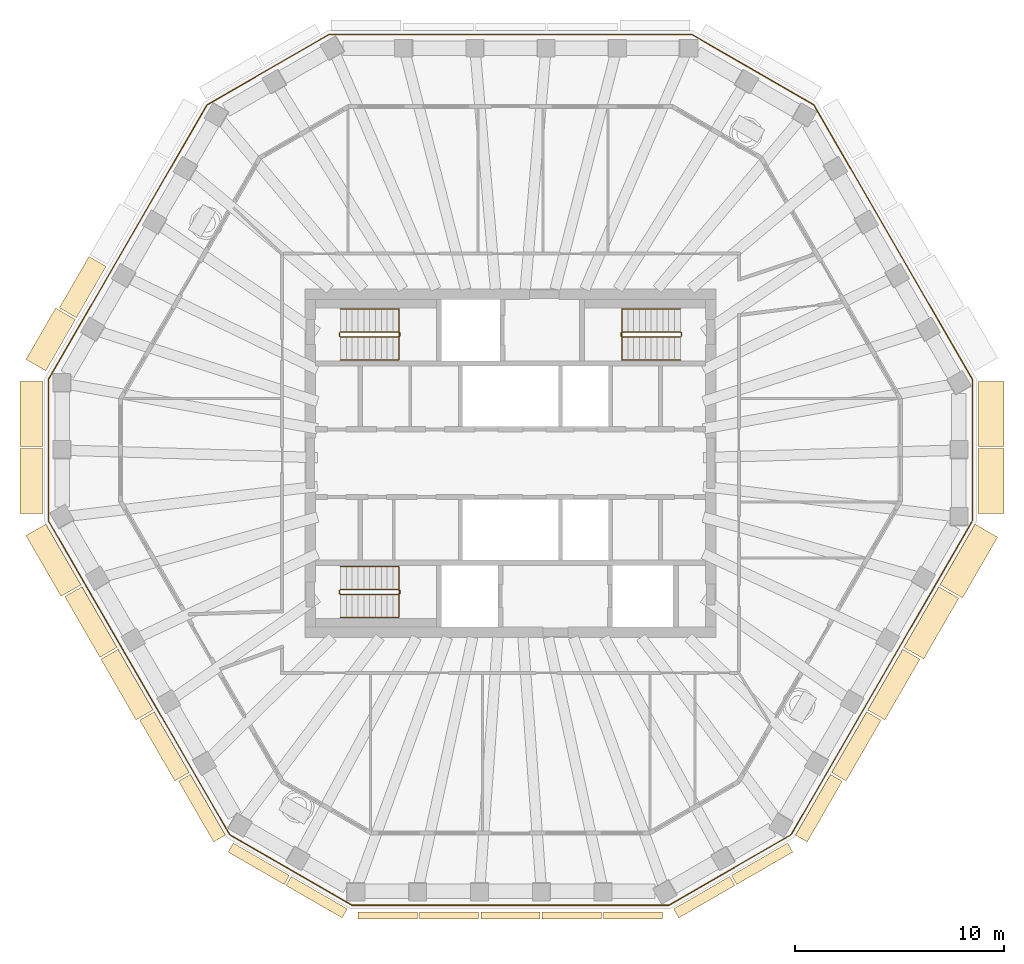
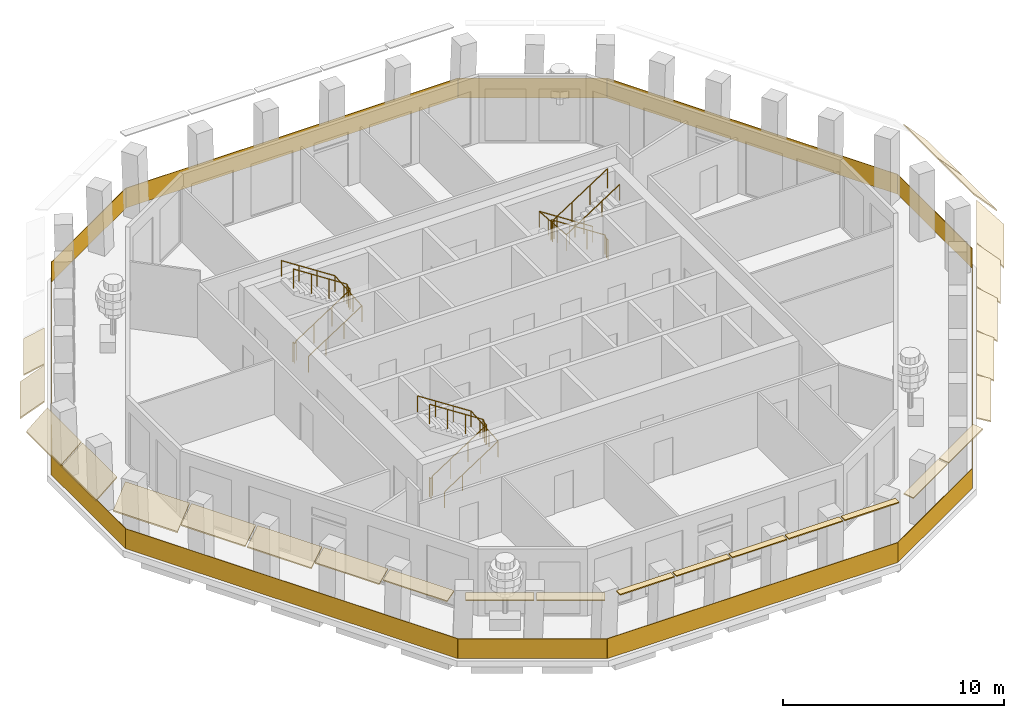
# One storey, part 8 of 11: 25 coverings, 7 railings.
"""IFC4 building model written with IfcOpenShell, lengths in metres."""

from ifc_helpers import new_model, si_unit, direction, frame, origin, origin_2d, place, context, subcontext, project, spatial, polyline, rectangle, circle, outline, extrude, material, layer, layer_set, type_object, element, save


model = new_model("IFC4")

# Units and contexts
model_context = context("Model", 3, precision=1e-05, world=origin(), true_north=direction((0.0, 1.0)))
body_context = subcontext(model_context, "Body", "Model", "MODEL_VIEW")
ifc_project = project(units=[si_unit("LENGTHUNIT", "METRE"), si_unit("AREAUNIT", "SQUARE_METRE"), si_unit("VOLUMEUNIT", "CUBIC_METRE"), si_unit("PLANEANGLEUNIT", "RADIAN"), si_unit("MASSUNIT", "GRAM", prefix="KILO")], contexts=[model_context])

# Site, building, storey
site_placement = place(None, origin())
site = spatial("IfcSite", under=ifc_project, at=site_placement, CompositionType="ELEMENT")
building_placement = place(site_placement, origin())
building = spatial("IfcBuilding", under=site, at=building_placement, Name="Frailejon Research Tower", CompositionType="ELEMENT")
storey_placement = place(building_placement, frame((0.0, 0.0, 328.60009765625)))
storey = spatial("IfcBuildingStorey", under=building, at=storey_placement, Name="L73", CompositionType="ELEMENT", Elevation=328.60009765625)

# Coverings
ifc_material_1 = material(Name="Precast concrete C50/60", Category="concrete")
ifc_layer_1 = layer(ifc_material_1, 0.06005859375)
ifc_layer_set_1 = layer_set([ifc_layer_1], Name="Brim blade depth 1100")
covering_type_1 = type_object("IfcCoveringType", Name="Brim blade depth 1100", PredefinedType="CLADDING", material=ifc_layer_set_1)
covering_1_placement = place(storey_placement, frame((-22.274169921875, 4.4287109375, 3.849853515625), z_axis=(0.500015830059, 0.866016264103, 0.0), x_axis=(-0.866016264103, 0.500015830059, 0.0)))
element("IfcCovering", 1, at=covering_1_placement, inside=storey, type_object=covering_type_1, Name="Brim blade L73", PredefinedType="CLADDING", context=body_context, shape_type="SweptSolid", body=[
    extrude(outline(polyline([(0.0, -0.078369140625), (1.10009765625, -1.001220703125), (1.10009765625, -0.923095703125), (0.0, 0.0), (0.0, -0.078369140625)])), origin(), (0.0, 0.0, 1.0), 2.8408203125),
])
covering_2_placement = place(storey_placement, frame((-22.4130859375, 0.80419921875, 3.849853515625), z_axis=(0.0, 1.0, 0.0), x_axis=(-1.0, 0.0, 0.0)))
element("IfcCovering", 2, at=covering_2_placement, inside=storey, type_object=covering_type_1, Name="Brim blade L73", PredefinedType="CLADDING", context=body_context, shape_type="SweptSolid", body=[
    extrude(outline(polyline([(0.0, -0.078369140625), (1.10009765625, -1.001220703125), (1.10009765625, -0.923095703125), (0.0, 0.0), (0.0, -0.078369140625)])), origin(), (0.0, 0.0, 1.0), 3.106201171875),
])
covering_3_placement = place(storey_placement, frame((-22.4130859375, -2.40185546875, 3.849853515625), z_axis=(0.0, 1.0, 0.0), x_axis=(-1.0, 0.0, 0.0)))
element("IfcCovering", 3, at=covering_3_placement, inside=storey, type_object=covering_type_1, Name="Brim blade L73", PredefinedType="CLADDING", context=body_context, shape_type="SweptSolid", body=[
    extrude(outline(polyline([(0.0, -0.078369140625), (1.10009765625, -1.001220703125), (1.10009765625, -0.923095703125), (0.0, 0.0), (0.0, -0.078369140625)])), origin(), (0.0, 0.0, 1.0), 3.10595703125),
])
for number, where, z_axis, x_axis, name in (
    (4, (-20.59228515625, -5.832763671875, 3.849853515625), (-0.500011550124, 0.866018735215, 0.0), (-0.866018735215, -0.500011550124, 0.0), "Brim blade L73"),
    (5, (20.54248046875, -5.91943359375, 3.849853515625), (-0.499989894927, -0.866031237873, 0.0), (0.866031237873, -0.499989894927, 0.0), "Brim blade L73"),
):
    element("IfcCovering", number, at=place(storey_placement, frame(where, z_axis=z_axis, x_axis=x_axis)), inside=storey, type_object=covering_type_1, Name=name, PredefinedType="CLADDING", context=body_context, shape_type="SweptSolid", body=[
        extrude(outline(polyline([(0.0, -0.078369140625), (1.10009765625, -1.001220703125), (1.10009765625, -0.923095703125), (0.0, 0.0), (0.0, -0.078369140625)])), origin(), (0.0, 0.0, 1.0), 3.36328125),
    ])
ifc_material_2 = material(Name="Precast concrete C50/60", Category="concrete")
ifc_layer_2 = layer(ifc_material_2, 0.06005859375)
ifc_layer_set_2 = layer_set([ifc_layer_2], Name="Brim blade depth 1250")
covering_type_2 = type_object("IfcCoveringType", Name="Brim blade depth 1250", PredefinedType="CLADDING", material=ifc_layer_set_2)
covering_4_placement = place(storey_placement, frame((22.4130859375, 0.7041015625, 3.849853515625), z_axis=(0.0, -1.0, 0.0), x_axis=(1.0, 0.0, 0.0)))
element("IfcCovering", 6, at=covering_4_placement, inside=storey, type_object=covering_type_2, Name="Brim blade L73", PredefinedType="CLADDING", context=body_context, shape_type="SweptSolid", body=[
    extrude(outline(polyline([(0.0, -0.0888671875), (1.25, -1.452880859375), (1.25, -1.364013671875), (0.0, 0.0), (0.0, -0.0888671875)])), origin(), (0.0, 0.0, 1.0), 3.10595703125),
])
covering_5_placement = place(storey_placement, frame((22.4130859375, 3.910400390625, 3.849853515625), z_axis=(0.0, -1.0, 0.0), x_axis=(1.0, 0.0, 0.0)))
element("IfcCovering", 7, at=covering_5_placement, inside=storey, type_object=covering_type_2, Name="Brim blade L73", PredefinedType="CLADDING", context=body_context, shape_type="SweptSolid", body=[
    extrude(outline(polyline([(0.0, -0.0888671875), (1.25, -1.452880859375), (1.25, -1.364013671875), (0.0, 0.0), (0.0, -0.0888671875)])), origin(), (0.0, 0.0, 1.0), 3.106201171875),
])
covering_6_placement = place(storey_placement, frame((22.274169921875, -2.920166015625, 3.849853515625), z_axis=(-0.500011550124, -0.866018735215, 0.0), x_axis=(0.866018735215, -0.500011550124, 0.0)))
element("IfcCovering", 8, at=covering_6_placement, inside=storey, type_object=covering_type_2, Name="Brim blade L73", PredefinedType="CLADDING", context=body_context, shape_type="SweptSolid", body=[
    extrude(outline(polyline([(0.0, -0.0888671875), (1.25, -1.452880859375), (1.25, -1.364013671875), (0.0, 0.0), (0.0, -0.0888671875)])), origin(), (0.0, 0.0, 1.0), 3.36328125),
])
ifc_material_3 = material(Name="Precast concrete C50/60", Category="concrete")
ifc_layer_3 = layer(ifc_material_3, 0.06005859375)
ifc_layer_set_3 = layer_set([ifc_layer_3], Name="Brim blade depth 350")
covering_type_3 = type_object("IfcCoveringType", Name="Brim blade depth 350", PredefinedType="CLADDING", material=ifc_layer_set_3)
for number, where, z_axis, x_axis, name in (
    (9, (-4.461181640625, -21.504150390625, 3.849853515625), (-1.0, 0.0, 0.0), (0.0, -1.0, 0.0), "Brim blade L73"),
    (10, (-1.5205078125, -21.504150390625, 3.849853515625), (-1.0, 0.0, 0.0), (0.0, -1.0, 0.0), "Brim blade L73"),
    (11, (1.42041015625, -21.504150390625, 3.849853515625), (-1.0, 0.0, 0.0), (0.0, -1.0, 0.0), "Brim blade L73"),
    (12, (4.361083984375, -21.504150390625, 3.849853515625), (-1.0, 0.0, 0.0), (0.0, -1.0, 0.0), "Brim blade L73"),
    (13, (7.3017578125, -21.504150390625, 3.849853515625), (-1.0, 0.0, 0.0), (0.0, -1.0, 0.0), "Brim blade L73"),
):
    element("IfcCovering", number, at=place(storey_placement, frame(where, z_axis=z_axis, x_axis=x_axis)), inside=storey, type_object=covering_type_3, Name=name, PredefinedType="CLADDING", context=body_context, shape_type="SweptSolid", body=[
        extrude(outline(polyline([(0.0, -0.06005859375), (0.35009765625, -0.06005859375), (0.35009765625, 0.0), (0.0, 0.0), (0.0, -0.06005859375)])), origin(), (0.0, 0.0, 1.0), 2.8408203125),
    ])
ifc_material_4 = material(Name="Precast concrete C50/60", Category="concrete")
ifc_layer_4 = layer(ifc_material_4, 0.06005859375)
ifc_layer_set_4 = layer_set([ifc_layer_4], Name="Brim blade depth 500")
covering_type_4 = type_object("IfcCoveringType", Name="Brim blade depth 500", PredefinedType="CLADDING", material=ifc_layer_set_4)
for number, where, z_axis, x_axis, name in (
    (14, (-10.5966796875, -19.76220703125, 3.849853515625), (-0.86602716254, 0.499996953734, 0.0), (-0.499996953734, -0.86602716254, 0.0), "Brim blade L73"),
    (15, (-7.820068359375, -21.365234375, 3.849853515625), (-0.86602716254, 0.499996953734, 0.0), (-0.499996953734, -0.86602716254, 0.0), "Brim blade L73"),
    (16, (10.510009765625, -19.812255859375, 3.849853515625), (-0.86602716254, -0.499996953734, 0.0), (0.499996953734, -0.86602716254, 0.0), "Brim blade L73"),
    (17, (13.28662109375, -18.209228515625, 3.849853515625), (-0.86602716254, -0.499996953734, 0.0), (0.499996953734, -0.86602716254, 0.0), "Brim blade L73"),
):
    element("IfcCovering", number, at=place(storey_placement, frame(where, z_axis=z_axis, x_axis=x_axis)), inside=storey, type_object=covering_type_4, Name=name, PredefinedType="CLADDING", context=body_context, shape_type="SweptSolid", body=[
        extrude(outline(polyline([(0.0, -0.060546875), (0.5, -0.130859375), (0.5, -0.0703125), (0.0, 0.0), (0.0, -0.060546875)])), origin(), (0.0, 0.0, 1.0), 3.10595703125),
    ])
ifc_material_5 = material(Name="Precast concrete C50/60", Category="concrete")
ifc_layer_5 = layer(ifc_material_5, 0.06005859375)
ifc_layer_set_5 = layer_set([ifc_layer_5], Name="Brim blade depth 650")
covering_type_5 = type_object("IfcCoveringType", Name="Brim blade depth 650", PredefinedType="CLADDING", material=ifc_layer_set_5)
for number, where, z_axis, x_axis, name in (
    (18, (-13.666015625, -17.829833984375, 3.849853515625), (-0.500011550124, 0.866018735215, 0.0), (-0.866018735215, -0.500011550124, 0.0), "Brim blade L73"),
    (19, (15.34765625, -14.917236328125, 3.849853515625), (-0.500011550124, -0.866018735215, 0.0), (0.866018735215, -0.500011550124, 0.0), "Brim blade L73"),
):
    element("IfcCovering", number, at=place(storey_placement, frame(where, z_axis=z_axis, x_axis=x_axis)), inside=storey, type_object=covering_type_5, Name=name, PredefinedType="CLADDING", context=body_context, shape_type="SweptSolid", body=[
        extrude(outline(polyline([(0.0, -0.0625), (0.64990234375, -0.248779296875), (0.64990234375, -0.186279296875), (0.0, 0.0), (0.0, -0.0625)])), origin(), (0.0, 0.0, 1.0), 3.36328125),
    ])
ifc_material_6 = material(Name="Precast concrete C50/60", Category="concrete")
ifc_layer_6 = layer(ifc_material_6, 0.06005859375)
ifc_layer_set_6 = layer_set([ifc_layer_6], Name="Brim blade depth 800")
covering_type_6 = type_object("IfcCoveringType", Name="Brim blade depth 800", PredefinedType="CLADDING", material=ifc_layer_set_6)
for number, where, z_axis, x_axis, name in (
    (20, (-15.397705078125, -14.83056640625, 3.849853515625), (-0.499989894927, 0.866031237873, 0.0), (-0.866031237873, -0.499989894927, 0.0), "Brim blade L73"),
    (21, (17.0791015625, -11.91796875, 3.849853515625), (-0.499989894927, -0.866031237873, 0.0), (0.866031237873, -0.499989894927, 0.0), "Brim blade L73"),
):
    element("IfcCovering", number, at=place(storey_placement, frame(where, z_axis=z_axis, x_axis=x_axis)), inside=storey, type_object=covering_type_6, Name=name, PredefinedType="CLADDING", context=body_context, shape_type="SweptSolid", body=[
        extrude(outline(polyline([(0.0, -0.065673828125), (0.800048828125, -0.421875), (0.800048828125, -0.356201171875), (0.0, 0.0), (0.0, -0.065673828125)])), origin(), (0.0, 0.0, 1.0), 3.36328125),
    ])
ifc_material_7 = material(Name="Precast concrete C50/60", Category="concrete")
ifc_layer_7 = layer(ifc_material_7, 0.06005859375)
ifc_layer_set_7 = layer_set([ifc_layer_7], Name="Brim blade depth 950")
covering_type_7 = type_object("IfcCoveringType", Name="Brim blade depth 950", PredefinedType="CLADDING", material=ifc_layer_set_7)
covering_7_placement = place(storey_placement, frame((-20.8037109375, 6.975341796875, 3.849853515625), z_axis=(0.499975601041, 0.866039490072, 0.0), x_axis=(-0.866039490072, 0.499975601041, 0.0)))
element("IfcCovering", 22, at=covering_7_placement, inside=storey, type_object=covering_type_7, Name="Brim blade L73", PredefinedType="CLADDING", context=body_context, shape_type="SweptSolid", body=[
    extrude(outline(polyline([(0.0, -0.07080078125), (0.949951171875, -0.664306640625), (0.949951171875, -0.593505859375), (0.0, 0.0), (0.0, -0.07080078125)])), origin(), (0.0, 0.0, 1.0), 2.8408203125),
])
for number, where, z_axis, x_axis, name in (
    (23, (-18.86083984375, -8.83203125, 3.849853515625), (-0.499989894927, 0.866031237873, 0.0), (-0.866031237873, -0.499989894927, 0.0), "Brim blade L73"),
    (24, (-17.129150390625, -11.831298828125, 3.849853515625), (-0.500002398127, 0.866024019221, 0.0), (-0.866024019221, -0.500002398127, 0.0), "Brim blade L73"),
    (25, (18.810791015625, -8.918701171875, 3.849853515625), (-0.500002398127, -0.866024019221, 0.0), (0.866024019221, -0.500002398127, 0.0), "Brim blade L73"),
):
    element("IfcCovering", number, at=place(storey_placement, frame(where, z_axis=z_axis, x_axis=x_axis)), inside=storey, type_object=covering_type_7, Name=name, PredefinedType="CLADDING", context=body_context, shape_type="SweptSolid", body=[
        extrude(outline(polyline([(0.0, -0.07080078125), (0.949951171875, -0.664306640625), (0.949951171875, -0.593505859375), (0.0, 0.0), (0.0, -0.07080078125)])), origin(), (0.0, 0.0, 1.0), 3.36328125),
    ])

# Railings
ifc_material_8 = material(Name="Laminated glass balustrade", Category="glass")
railing_type_1 = type_object("IfcRailingType", Name="Glass guard 1100", PredefinedType="GUARDRAIL", material=ifc_material_8)
railing_1_placement = place(storey_placement, frame((22.151611328125, -2.754638671875, 0.0)))
element("IfcRailing", 26, at=railing_1_placement, inside=storey, type_object=railing_type_1, Name="Loggia guard L73", PredefinedType="GUARDRAIL", context=body_context, shape_type="SweptSolid", body=[
    extrude(rectangle(XDim=6.766357421875, YDim=0.030029296875, at=origin_2d()), frame((0.0, 3.38330078125, 0.0), z_axis=(0.0, 0.0, 1.0), x_axis=(0.0, 1.0, 0.0)), (0.0, 0.0, 1.0), 1.10009765625),
    extrude(rectangle(XDim=15.203125, YDim=0.030029296875, at=origin_2d()), frame((-3.80078125, 13.349609375, 0.0), z_axis=(0.0, 0.0, 1.0), x_axis=(-0.500000931394, 0.866024866043, 0.0)), (0.0, 0.0, 1.0), 1.10009765625),
    extrude(rectangle(XDim=6.766357421875, YDim=0.030029296875, at=origin_2d()), frame((-10.531494140625, 21.6240234375, 0.0), z_axis=(0.0, 0.0, 1.0), x_axis=(-0.866034171151, 0.499984814167, 0.0)), (0.0, 0.0, 1.0), 1.10009765625),
    extrude(rectangle(XDim=17.38037109375, YDim=0.030029296875, at=origin_2d()), frame((-22.151611328125, 23.315673828125, 0.0), z_axis=(0.0, 0.0, 1.0), x_axis=(-1.0, 0.0, 0.0)), (0.0, 0.0, 1.0), 1.10009765625),
    extrude(rectangle(XDim=6.766357421875, YDim=0.030029296875, at=origin_2d()), frame((-33.771728515625, 21.6240234375, 0.0), z_axis=(0.0, 0.0, 1.0), x_axis=(-0.866034171151, -0.499984814167, 0.0)), (0.0, 0.0, 1.0), 1.10009765625),
    extrude(rectangle(XDim=15.203125, YDim=0.030029296875, at=origin_2d()), frame((-40.50244140625, 13.349609375, 0.0), z_axis=(0.0, 0.0, 1.0), x_axis=(-0.500000931394, -0.866024866043, 0.0)), (0.0, 0.0, 1.0), 1.10009765625),
    extrude(rectangle(XDim=6.766357421875, YDim=0.030029296875, at=origin_2d()), frame((-44.30322265625, 3.38330078125, 0.0), z_axis=(0.0, 0.0, 1.0), x_axis=(0.0, -1.0, 0.0)), (0.0, 0.0, 1.0), 1.10009765625),
    extrude(rectangle(XDim=17.38037109375, YDim=0.030029296875, at=origin_2d()), frame((-39.9580078125, -7.52587890625, 0.0), z_axis=(0.0, 0.0, 1.0), x_axis=(0.500002119729, -0.866024179955, 0.0)), (0.0, 0.0, 1.0), 1.10009765625),
    extrude(rectangle(XDim=6.766357421875, YDim=0.030029296875, at=origin_2d()), frame((-32.68310546875, -16.743408203125, 0.0), z_axis=(0.0, 0.0, 1.0), x_axis=(0.866018547471, -0.500011875296, 0.0)), (0.0, 0.0, 1.0), 1.10009765625),
    extrude(rectangle(XDim=15.203125, YDim=0.030029296875, at=origin_2d()), frame((-22.151611328125, -18.43505859375, 0.0), z_axis=(0.0, 0.0, 1.0), x_axis=(1.0, 0.0, 0.0)), (0.0, 0.0, 1.0), 1.10009765625),
    extrude(rectangle(XDim=6.766357421875, YDim=0.030029296875, at=origin_2d()), frame((-11.6201171875, -16.743408203125, 0.0), z_axis=(0.0, 0.0, 1.0), x_axis=(0.866018547471, 0.500011875296, 0.0)), (0.0, 0.0, 1.0), 1.10009765625),
    extrude(rectangle(XDim=17.310302734375, YDim=0.030029296875, at=origin_2d()), frame((-4.36279296875, -7.55615234375, 0.0), z_axis=(0.0, 0.0, 1.0), x_axis=(0.499993484782, 0.866029165315, 0.0)), (0.0, 0.0, 1.0), 1.10009765625),
])
ifc_material_9 = material(Name="Stainless steel", Category="steel")
railing_type_2 = type_object("IfcRailingType", Name="Stair guard 1100", PredefinedType="GUARDRAIL", material=ifc_material_9)
railing_2_placement = place(storey_placement, frame((-8.199951171875, 6.25, 0.0)))
element("IfcRailing", 27, at=railing_2_placement, inside=storey, type_object=railing_type_2, Name="L73 ST1 stair guard 1", PredefinedType="GUARDRAIL", context=body_context, shape_type="SweptSolid", body=[
    extrude(circle(Radius=0.02392578125, at=origin_2d()), frame((0.0, 0.0, 1.076171875), z_axis=(0.0, -1.0, 0.0), x_axis=(1.0, 0.0, 0.0)), (0.0, 0.0, 1.0), 0.14990234375),
    extrude(circle(Radius=0.02392578125, at=origin_2d()), frame((0.0, -0.14990234375, 1.076171875), z_axis=(0.256734642926, -0.256734642926, 0.931758899203), x_axis=(0.707106781187, 0.707106781187, 0.0)), (0.0, 0.0, 1.0), 0.19482421875),
    extrude(circle(Radius=0.02392578125, at=origin_2d()), frame((0.050048828125, -0.199951171875, 1.2578125), z_axis=(0.838650734948, 0.0, 0.544669573936), x_axis=(0.0, 1.0, 0.0)), (0.0, 0.0, 1.0), 3.33837890625),
    extrude(circle(Radius=0.02392578125, at=origin_2d()), frame((2.849853515625, -0.199951171875, 3.076171875), z_axis=(0.707106781187, 0.707106781187, 0.0), x_axis=(-0.707106781187, 0.707106781187, 0.0)), (0.0, 0.0, 1.0), 0.07080078125),
    extrude(circle(Radius=0.02392578125, at=origin_2d()), frame((2.89990234375, -0.14990234375, 3.076171875), z_axis=(0.0, 1.0, 0.0), x_axis=(-1.0, 0.0, 0.0)), (0.0, 0.0, 1.0), 0.14990234375),
    extrude(circle(Radius=0.02392578125, at=origin_2d()), frame((2.89990234375, 0.0, 3.076171875), z_axis=(-0.256734642926, 0.256734642926, 0.931758899203), x_axis=(-0.707106781187, -0.707106781187, 0.0)), (0.0, 0.0, 1.0), 0.19482421875),
    extrude(circle(Radius=0.02392578125, at=origin_2d()), frame((2.849853515625, 0.050048828125, 3.2578125), z_axis=(-0.838650734948, 0.0, 0.544669573936), x_axis=(0.0, -1.0, 0.0)), (0.0, 0.0, 1.0), 3.33837890625),
    extrude(circle(Radius=0.02099609375, at=origin_2d()), origin(), (0.0, 0.0, 1.0), 1.052001953125),
    extrude(circle(Radius=0.02099609375, at=origin_2d()), frame((0.0, -0.14990234375, 0.0)), (0.0, 0.0, 1.0), 1.052001953125),
    extrude(circle(Radius=0.02099609375, at=origin_2d()), frame((0.050048828125, -0.199951171875, 0.181640625)), (0.0, 0.0, 1.0), 1.052001953125),
    extrude(circle(Radius=0.02099609375, at=origin_2d()), frame((0.9833984375, -0.199951171875, 0.787841796875)), (0.0, 0.0, 1.0), 1.052001953125),
    extrude(circle(Radius=0.02099609375, at=origin_2d()), frame((1.91650390625, -0.199951171875, 1.393798828125)), (0.0, 0.0, 1.0), 1.052001953125),
    extrude(circle(Radius=0.02099609375, at=origin_2d()), frame((2.849853515625, -0.199951171875, 2.0)), (0.0, 0.0, 1.0), 1.052001953125),
    extrude(circle(Radius=0.02099609375, at=origin_2d()), frame((2.89990234375, -0.14990234375, 2.0)), (0.0, 0.0, 1.0), 1.052001953125),
    extrude(circle(Radius=0.02099609375, at=origin_2d()), frame((2.89990234375, 0.0, 2.0)), (0.0, 0.0, 1.0), 1.052001953125),
    extrude(circle(Radius=0.02099609375, at=origin_2d()), frame((2.849853515625, 0.050048828125, 2.181640625)), (0.0, 0.0, 1.0), 1.052001953125),
    extrude(circle(Radius=0.02099609375, at=origin_2d()), frame((1.91650390625, 0.050048828125, 2.787841796875)), (0.0, 0.0, 1.0), 1.052001953125),
    extrude(circle(Radius=0.02099609375, at=origin_2d()), frame((0.9833984375, 0.050048828125, 3.393798828125)), (0.0, 0.0, 1.0), 1.052001953125),
    extrude(circle(Radius=0.02099609375, at=origin_2d()), frame((0.050048828125, 0.050048828125, 4.0)), (0.0, 0.0, 1.0), 1.052001953125),
])
railing_3_placement = place(storey_placement, frame((-8.199951171875, -6.10009765625, 0.0)))
element("IfcRailing", 28, at=railing_3_placement, inside=storey, type_object=railing_type_2, Name="L73 ST2 stair guard 1", PredefinedType="GUARDRAIL", context=body_context, shape_type="SweptSolid", body=[
    extrude(circle(Radius=0.02392578125, at=origin_2d()), frame((0.0, 0.0, 1.076171875), z_axis=(0.0, -1.0, 0.0), x_axis=(1.0, 0.0, 0.0)), (0.0, 0.0, 1.0), 0.14990234375),
    extrude(circle(Radius=0.02392578125, at=origin_2d()), frame((0.0, -0.14990234375, 1.076171875), z_axis=(0.256734642926, -0.256734642926, 0.931758899203), x_axis=(0.707106781187, 0.707106781187, 0.0)), (0.0, 0.0, 1.0), 0.19482421875),
    extrude(circle(Radius=0.02392578125, at=origin_2d()), frame((0.050048828125, -0.199951171875, 1.2578125), z_axis=(0.838650734948, 0.0, 0.544669573936), x_axis=(0.0, 1.0, 0.0)), (0.0, 0.0, 1.0), 3.33837890625),
    extrude(circle(Radius=0.02392578125, at=origin_2d()), frame((2.849853515625, -0.199951171875, 3.076171875), z_axis=(0.707106781187, 0.707106781187, 0.0), x_axis=(-0.707106781187, 0.707106781187, 0.0)), (0.0, 0.0, 1.0), 0.07080078125),
    extrude(circle(Radius=0.02392578125, at=origin_2d()), frame((2.89990234375, -0.14990234375, 3.076171875), z_axis=(0.0, 1.0, 0.0), x_axis=(-1.0, 0.0, 0.0)), (0.0, 0.0, 1.0), 0.14990234375),
    extrude(circle(Radius=0.02392578125, at=origin_2d()), frame((2.89990234375, 0.0, 3.076171875), z_axis=(-0.256734642926, 0.256734642926, 0.931758899203), x_axis=(-0.707106781187, -0.707106781187, 0.0)), (0.0, 0.0, 1.0), 0.19482421875),
    extrude(circle(Radius=0.02392578125, at=origin_2d()), frame((2.849853515625, 0.050048828125, 3.2578125), z_axis=(-0.838650734948, 0.0, 0.544669573936), x_axis=(0.0, -1.0, 0.0)), (0.0, 0.0, 1.0), 3.33837890625),
    extrude(circle(Radius=0.02099609375, at=origin_2d()), origin(), (0.0, 0.0, 1.0), 1.052001953125),
    extrude(circle(Radius=0.02099609375, at=origin_2d()), frame((0.0, -0.14990234375, 0.0)), (0.0, 0.0, 1.0), 1.052001953125),
    extrude(circle(Radius=0.02099609375, at=origin_2d()), frame((0.050048828125, -0.199951171875, 0.181640625)), (0.0, 0.0, 1.0), 1.052001953125),
    extrude(circle(Radius=0.02099609375, at=origin_2d()), frame((0.9833984375, -0.199951171875, 0.787841796875)), (0.0, 0.0, 1.0), 1.052001953125),
    extrude(circle(Radius=0.02099609375, at=origin_2d()), frame((1.91650390625, -0.199951171875, 1.393798828125)), (0.0, 0.0, 1.0), 1.052001953125),
    extrude(circle(Radius=0.02099609375, at=origin_2d()), frame((2.849853515625, -0.199951171875, 2.0)), (0.0, 0.0, 1.0), 1.052001953125),
    extrude(circle(Radius=0.02099609375, at=origin_2d()), frame((2.89990234375, -0.14990234375, 2.0)), (0.0, 0.0, 1.0), 1.052001953125),
    extrude(circle(Radius=0.02099609375, at=origin_2d()), frame((2.89990234375, 0.0, 2.0)), (0.0, 0.0, 1.0), 1.052001953125),
    extrude(circle(Radius=0.02099609375, at=origin_2d()), frame((2.849853515625, 0.050048828125, 2.181640625)), (0.0, 0.0, 1.0), 1.052001953125),
    extrude(circle(Radius=0.02099609375, at=origin_2d()), frame((1.91650390625, 0.050048828125, 2.787841796875)), (0.0, 0.0, 1.0), 1.052001953125),
    extrude(circle(Radius=0.02099609375, at=origin_2d()), frame((0.9833984375, 0.050048828125, 3.393798828125)), (0.0, 0.0, 1.0), 1.052001953125),
    extrude(circle(Radius=0.02099609375, at=origin_2d()), frame((0.050048828125, 0.050048828125, 4.0)), (0.0, 0.0, 1.0), 1.052001953125),
])
railing_4_placement = place(storey_placement, frame((8.199951171875, 6.10009765625, 0.0)))
element("IfcRailing", 29, at=railing_4_placement, inside=storey, type_object=railing_type_2, Name="L73 ST3 stair guard 1", PredefinedType="GUARDRAIL", context=body_context, shape_type="SweptSolid", body=[
    extrude(circle(Radius=0.02392578125, at=origin_2d()), frame((0.0, 0.0, 1.076171875), z_axis=(0.0, 1.0, 0.0), x_axis=(-1.0, 0.0, 0.0)), (0.0, 0.0, 1.0), 0.14990234375),
    extrude(circle(Radius=0.02392578125, at=origin_2d()), frame((0.0, 0.14990234375, 1.076171875), z_axis=(-0.256734642926, 0.256734642926, 0.931758899203), x_axis=(-0.707106781187, -0.707106781187, 0.0)), (0.0, 0.0, 1.0), 0.19482421875),
    extrude(circle(Radius=0.02392578125, at=origin_2d()), frame((-0.050048828125, 0.199951171875, 1.2578125), z_axis=(-0.838650734948, 0.0, 0.544669573936), x_axis=(0.0, -1.0, 0.0)), (0.0, 0.0, 1.0), 3.33837890625),
    extrude(circle(Radius=0.02392578125, at=origin_2d()), frame((-2.849853515625, 0.199951171875, 3.076171875), z_axis=(-0.707106781187, -0.707106781187, 0.0), x_axis=(0.707106781187, -0.707106781187, 0.0)), (0.0, 0.0, 1.0), 0.07080078125),
    extrude(circle(Radius=0.02392578125, at=origin_2d()), frame((-2.89990234375, 0.14990234375, 3.076171875), z_axis=(0.0, -1.0, 0.0), x_axis=(1.0, 0.0, 0.0)), (0.0, 0.0, 1.0), 0.14990234375),
    extrude(circle(Radius=0.02392578125, at=origin_2d()), frame((-2.89990234375, 0.0, 3.076171875), z_axis=(0.256734642926, -0.256734642926, 0.931758899203), x_axis=(0.707106781187, 0.707106781187, 0.0)), (0.0, 0.0, 1.0), 0.19482421875),
    extrude(circle(Radius=0.02392578125, at=origin_2d()), frame((-2.849853515625, -0.050048828125, 3.2578125), z_axis=(0.838650734948, 0.0, 0.544669573936), x_axis=(0.0, 1.0, 0.0)), (0.0, 0.0, 1.0), 3.33837890625),
    extrude(circle(Radius=0.02099609375, at=origin_2d()), origin(), (0.0, 0.0, 1.0), 1.052001953125),
    extrude(circle(Radius=0.02099609375, at=origin_2d()), frame((0.0, 0.14990234375, 0.0)), (0.0, 0.0, 1.0), 1.052001953125),
    extrude(circle(Radius=0.02099609375, at=origin_2d()), frame((-0.050048828125, 0.199951171875, 0.181640625)), (0.0, 0.0, 1.0), 1.052001953125),
    extrude(circle(Radius=0.02099609375, at=origin_2d()), frame((-0.9833984375, 0.199951171875, 0.787841796875)), (0.0, 0.0, 1.0), 1.052001953125),
    extrude(circle(Radius=0.02099609375, at=origin_2d()), frame((-1.91650390625, 0.199951171875, 1.393798828125)), (0.0, 0.0, 1.0), 1.052001953125),
    extrude(circle(Radius=0.02099609375, at=origin_2d()), frame((-2.849853515625, 0.199951171875, 2.0)), (0.0, 0.0, 1.0), 1.052001953125),
    extrude(circle(Radius=0.02099609375, at=origin_2d()), frame((-2.89990234375, 0.14990234375, 2.0)), (0.0, 0.0, 1.0), 1.052001953125),
    extrude(circle(Radius=0.02099609375, at=origin_2d()), frame((-2.89990234375, 0.0, 2.0)), (0.0, 0.0, 1.0), 1.052001953125),
    extrude(circle(Radius=0.02099609375, at=origin_2d()), frame((-2.849853515625, -0.050048828125, 2.181640625)), (0.0, 0.0, 1.0), 1.052001953125),
    extrude(circle(Radius=0.02099609375, at=origin_2d()), frame((-1.91650390625, -0.050048828125, 2.787841796875)), (0.0, 0.0, 1.0), 1.052001953125),
    extrude(circle(Radius=0.02099609375, at=origin_2d()), frame((-0.9833984375, -0.050048828125, 3.393798828125)), (0.0, 0.0, 1.0), 1.052001953125),
    extrude(circle(Radius=0.02099609375, at=origin_2d()), frame((-0.050048828125, -0.050048828125, 4.0)), (0.0, 0.0, 1.0), 1.052001953125),
])
ifc_material_10 = material(Name="Stainless steel", Category="steel")
railing_type_3 = type_object("IfcRailingType", Name="Stair handrail 900", PredefinedType="HANDRAIL", material=ifc_material_10)
railing_5_placement = place(storey_placement, frame((-8.14990234375, 4.949951171875, 0.181640625)))
element("IfcRailing", 30, at=railing_5_placement, inside=storey, type_object=railing_type_3, Name="L73 ST1 stair handrail 1", PredefinedType="HANDRAIL", context=body_context, shape_type="SweptSolid", body=[
    extrude(circle(Radius=0.02392578125, at=origin_2d()), frame((0.0, 0.0, 0.8759765625), z_axis=(0.838650734948, 0.0, 0.544669573936), x_axis=(0.0, 1.0, 0.0)), (0.0, 0.0, 1.0), 3.33837890625),
    extrude(circle(Radius=0.02392578125, at=origin_2d()), frame((2.7998046875, 0.0, 2.6943359375), z_axis=(0.0, 0.997262871482, 0.073937576122), x_axis=(-1.0, 0.0, 0.0)), (0.0, 0.0, 1.0), 2.456787109375),
    extrude(circle(Radius=0.02392578125, at=origin_2d()), frame((2.7998046875, 2.449951171875, 2.8759765625), z_axis=(-0.838650734948, 0.0, 0.544669573936), x_axis=(0.0, -1.0, 0.0)), (0.0, 0.0, 1.0), 3.33837890625),
    extrude(circle(Radius=0.02099609375, at=origin_2d()), origin(), (0.0, 0.0, 1.0), 0.851806640625),
    extrude(circle(Radius=0.02099609375, at=origin_2d()), frame((0.933349609375, 0.0, 0.606201171875)), (0.0, 0.0, 1.0), 0.851806640625),
    extrude(circle(Radius=0.02099609375, at=origin_2d()), frame((1.866455078125, 0.0, 1.212158203125)), (0.0, 0.0, 1.0), 0.851806640625),
    extrude(circle(Radius=0.02099609375, at=origin_2d()), frame((2.7998046875, 0.0, 1.818359375)), (0.0, 0.0, 1.0), 0.851806640625),
    extrude(circle(Radius=0.02099609375, at=origin_2d()), frame((2.7998046875, 0.816650390625, 1.87890625)), (0.0, 0.0, 1.0), 0.851806640625),
    extrude(circle(Radius=0.02099609375, at=origin_2d()), frame((2.7998046875, 1.63330078125, 1.939453125)), (0.0, 0.0, 1.0), 0.851806640625),
    extrude(circle(Radius=0.02099609375, at=origin_2d()), frame((2.7998046875, 2.449951171875, 2.0)), (0.0, 0.0, 1.0), 0.851806640625),
    extrude(circle(Radius=0.02099609375, at=origin_2d()), frame((1.866455078125, 2.449951171875, 2.606201171875)), (0.0, 0.0, 1.0), 0.851806640625),
    extrude(circle(Radius=0.02099609375, at=origin_2d()), frame((0.933349609375, 2.449951171875, 3.212158203125)), (0.0, 0.0, 1.0), 0.851806640625),
    extrude(circle(Radius=0.02099609375, at=origin_2d()), frame((0.0, 2.449951171875, 3.818359375)), (0.0, 0.0, 1.0), 0.851806640625),
])
railing_6_placement = place(storey_placement, frame((-8.14990234375, -7.39990234375, 0.181640625)))
element("IfcRailing", 31, at=railing_6_placement, inside=storey, type_object=railing_type_3, Name="L73 ST2 stair handrail 1", PredefinedType="HANDRAIL", context=body_context, shape_type="SweptSolid", body=[
    extrude(circle(Radius=0.02392578125, at=origin_2d()), frame((0.0, 0.0, 0.8759765625), z_axis=(0.838650734948, 0.0, 0.544669573936), x_axis=(0.0, 1.0, 0.0)), (0.0, 0.0, 1.0), 3.33837890625),
    extrude(circle(Radius=0.02392578125, at=origin_2d()), frame((2.7998046875, 0.0, 2.6943359375), z_axis=(0.0, 0.997262871482, 0.073937576122), x_axis=(-1.0, 0.0, 0.0)), (0.0, 0.0, 1.0), 2.456787109375),
    extrude(circle(Radius=0.02392578125, at=origin_2d()), frame((2.7998046875, 2.449951171875, 2.8759765625), z_axis=(-0.838650734948, 0.0, 0.544669573936), x_axis=(0.0, -1.0, 0.0)), (0.0, 0.0, 1.0), 3.33837890625),
    extrude(circle(Radius=0.02099609375, at=origin_2d()), origin(), (0.0, 0.0, 1.0), 0.851806640625),
    extrude(circle(Radius=0.02099609375, at=origin_2d()), frame((0.933349609375, 0.0, 0.606201171875)), (0.0, 0.0, 1.0), 0.851806640625),
    extrude(circle(Radius=0.02099609375, at=origin_2d()), frame((1.866455078125, 0.0, 1.212158203125)), (0.0, 0.0, 1.0), 0.851806640625),
    extrude(circle(Radius=0.02099609375, at=origin_2d()), frame((2.7998046875, 0.0, 1.818359375)), (0.0, 0.0, 1.0), 0.851806640625),
    extrude(circle(Radius=0.02099609375, at=origin_2d()), frame((2.7998046875, 0.816650390625, 1.87890625)), (0.0, 0.0, 1.0), 0.851806640625),
    extrude(circle(Radius=0.02099609375, at=origin_2d()), frame((2.7998046875, 1.63330078125, 1.939453125)), (0.0, 0.0, 1.0), 0.851806640625),
    extrude(circle(Radius=0.02099609375, at=origin_2d()), frame((2.7998046875, 2.449951171875, 2.0)), (0.0, 0.0, 1.0), 0.851806640625),
    extrude(circle(Radius=0.02099609375, at=origin_2d()), frame((1.866455078125, 2.449951171875, 2.606201171875)), (0.0, 0.0, 1.0), 0.851806640625),
    extrude(circle(Radius=0.02099609375, at=origin_2d()), frame((0.933349609375, 2.449951171875, 3.212158203125)), (0.0, 0.0, 1.0), 0.851806640625),
    extrude(circle(Radius=0.02099609375, at=origin_2d()), frame((0.0, 2.449951171875, 3.818359375)), (0.0, 0.0, 1.0), 0.851806640625),
])
railing_7_placement = place(storey_placement, frame((8.14990234375, 7.39990234375, 0.181640625)))
element("IfcRailing", 32, at=railing_7_placement, inside=storey, type_object=railing_type_3, Name="L73 ST3 stair handrail 1", PredefinedType="HANDRAIL", context=body_context, shape_type="SweptSolid", body=[
    extrude(circle(Radius=0.02392578125, at=origin_2d()), frame((0.0, 0.0, 0.8759765625), z_axis=(-0.838650734948, 0.0, 0.544669573936), x_axis=(0.0, -1.0, 0.0)), (0.0, 0.0, 1.0), 3.33837890625),
    extrude(circle(Radius=0.02392578125, at=origin_2d()), frame((-2.7998046875, 0.0, 2.6943359375), z_axis=(0.0, -0.997262871482, 0.073937576122), x_axis=(1.0, 0.0, 0.0)), (0.0, 0.0, 1.0), 2.456787109375),
    extrude(circle(Radius=0.02392578125, at=origin_2d()), frame((-2.7998046875, -2.449951171875, 2.8759765625), z_axis=(0.838650734948, 0.0, 0.544669573936), x_axis=(0.0, 1.0, 0.0)), (0.0, 0.0, 1.0), 3.33837890625),
    extrude(circle(Radius=0.02099609375, at=origin_2d()), origin(), (0.0, 0.0, 1.0), 0.851806640625),
    extrude(circle(Radius=0.02099609375, at=origin_2d()), frame((-0.933349609375, 0.0, 0.606201171875)), (0.0, 0.0, 1.0), 0.851806640625),
    extrude(circle(Radius=0.02099609375, at=origin_2d()), frame((-1.866455078125, 0.0, 1.212158203125)), (0.0, 0.0, 1.0), 0.851806640625),
    extrude(circle(Radius=0.02099609375, at=origin_2d()), frame((-2.7998046875, 0.0, 1.818359375)), (0.0, 0.0, 1.0), 0.851806640625),
    extrude(circle(Radius=0.02099609375, at=origin_2d()), frame((-2.7998046875, -0.816650390625, 1.87890625)), (0.0, 0.0, 1.0), 0.851806640625),
    extrude(circle(Radius=0.02099609375, at=origin_2d()), frame((-2.7998046875, -1.63330078125, 1.939453125)), (0.0, 0.0, 1.0), 0.851806640625),
    extrude(circle(Radius=0.02099609375, at=origin_2d()), frame((-2.7998046875, -2.449951171875, 2.0)), (0.0, 0.0, 1.0), 0.851806640625),
    extrude(circle(Radius=0.02099609375, at=origin_2d()), frame((-1.866455078125, -2.449951171875, 2.606201171875)), (0.0, 0.0, 1.0), 0.851806640625),
    extrude(circle(Radius=0.02099609375, at=origin_2d()), frame((-0.933349609375, -2.449951171875, 3.212158203125)), (0.0, 0.0, 1.0), 0.851806640625),
    extrude(circle(Radius=0.02099609375, at=origin_2d()), frame((0.0, -2.449951171875, 3.818359375)), (0.0, 0.0, 1.0), 0.851806640625),
])

save(model, "model.ifc")
